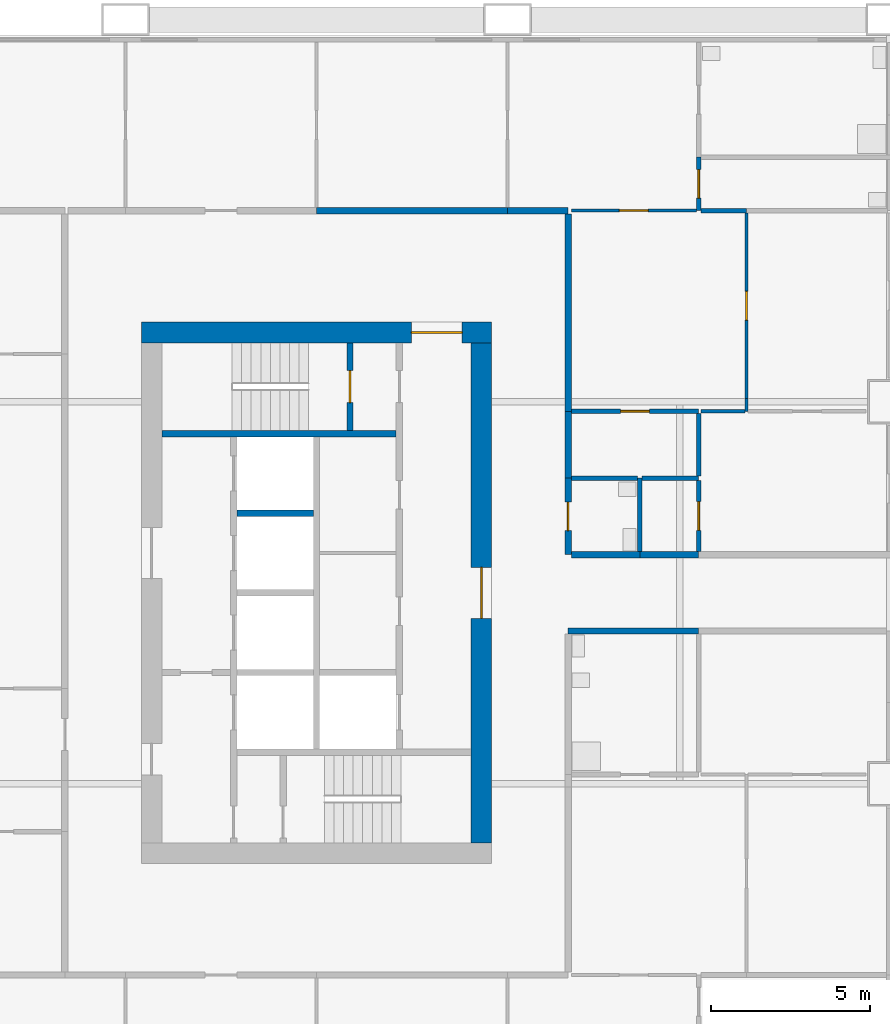
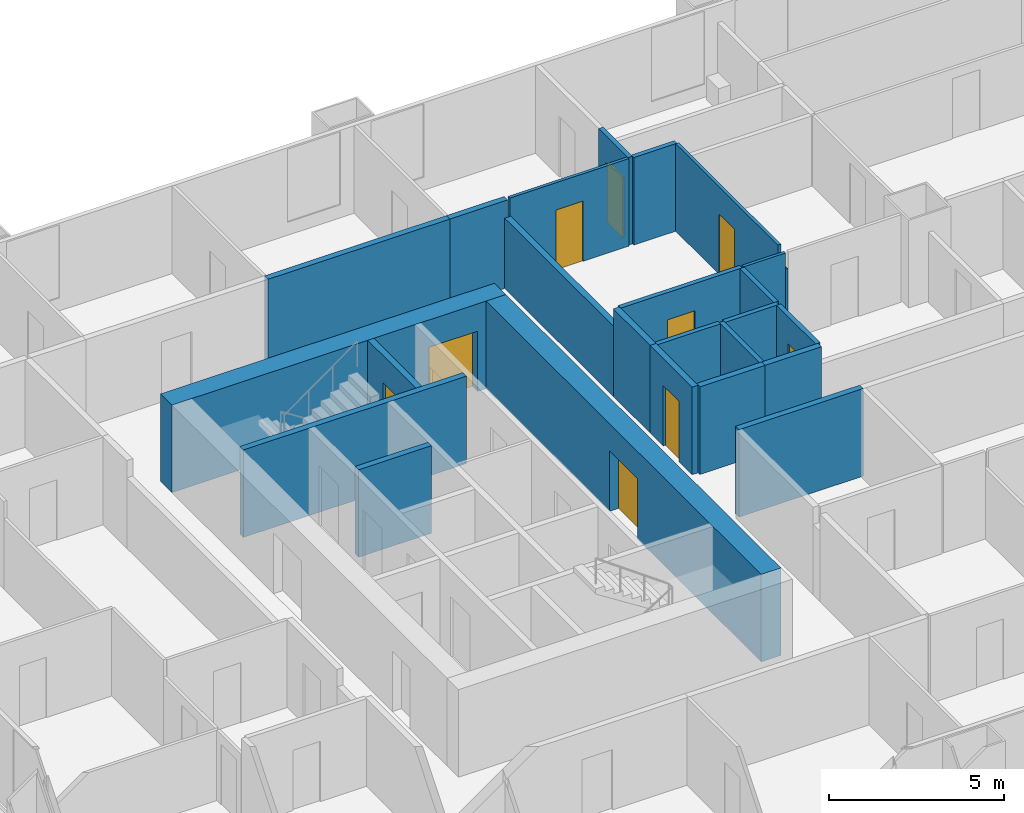
# One storey, part 4 of 11: 25 walls, 9 doors, 9 openings.
"""IFC4 building model written with IfcOpenShell, lengths in metres."""

from ifc_helpers import new_model, si_unit, direction, frame, frame_2d, origin, place, context, subcontext, project, spatial, rectangle, extrude, material, layer, layer_set, type_object, element, fill, save


model = new_model("IFC4")

# Units and contexts
model_context = context("Model", 3, precision=1e-05, world=origin(), true_north=direction((0.0, 1.0)))
body_context = subcontext(model_context, "Body", "Model", "MODEL_VIEW")
ifc_project = project(units=[si_unit("LENGTHUNIT", "METRE"), si_unit("AREAUNIT", "SQUARE_METRE"), si_unit("VOLUMEUNIT", "CUBIC_METRE"), si_unit("PLANEANGLEUNIT", "RADIAN"), si_unit("MASSUNIT", "GRAM", prefix="KILO")], contexts=[model_context])

# Site, building, storey
site_placement = place(None, origin())
site = spatial("IfcSite", under=ifc_project, at=site_placement, CompositionType="ELEMENT")
building_placement = place(site_placement, origin())
building = spatial("IfcBuilding", under=site, at=building_placement, Name="Kitamizu Gate Tower and Museum", CompositionType="ELEMENT")
storey_placement = place(building_placement, frame((0.0, 0.0, 100.050048828125)))
storey = spatial("IfcBuildingStorey", under=building, at=storey_placement, Name="L25", CompositionType="ELEMENT", Elevation=100.050048828125)

# Wall, opening, door
ifc_material_1 = material(Name="Concrete Fc60", Category="concrete")
ifc_layer_1 = layer(ifc_material_1, 0.64990234375)
ifc_layer_set_1 = layer_set([ifc_layer_1], Name="Concrete Fc60")
wall_type_1 = type_object("IfcWallType", Name="Core wall 650", PredefinedType="SHEAR", material=ifc_layer_set_1)
wall_1_placement = place(storey_placement, frame((12.5, 38.175048828125, 0.0), z_axis=(0.0, 0.0, 1.0), x_axis=(1.0, 0.0, 0.0)))
wall_1 = element("IfcWall", 1, at=wall_1_placement, inside=storey, type_object=wall_type_1, Name="Core wall WN", PredefinedType="SHEAR", context=body_context, shape_type="SweptSolid", body=[
    extrude(rectangle(XDim=11.0, YDim=0.64990234375, at=frame_2d((5.5, 0.0))), origin(), (0.0, 0.0, 1.0), 3.050048828125),
])
opening_1_placement = place(wall_1_placement, frame((8.47509765625, 0.0, 0.0)))
opening_1 = element("IfcOpeningElement", 2, at=opening_1_placement, cuts=wall_1, Name="Opening L25-063", PredefinedType="OPENING", context=body_context, shape_type="SweptSolid", body=[
    extrude(rectangle(XDim=1.60009765625, YDim=2.10009765625, at=frame_2d((0.800048828125, 1.050048828125))), frame((0.0, 0.3349609375, 0.0), z_axis=(0.0, -1.0, 0.0), x_axis=(1.0, 0.0, 0.0)), (0.0, 0.0, 1.0), 0.669921875),
])
ifc_material_2 = material(Name="Timber door set", Category="wood")
door_type_1 = type_object("IfcDoorType", Name="Entrance door 1600", OperationType="DOUBLE_DOOR_SINGLE_SWING", PredefinedType="DOOR", material=ifc_material_2)
door_1_placement = place(opening_1_placement, origin())
door_1 = element("IfcDoor", 3, at=door_1_placement, inside=storey, type_object=door_type_1, Name="Lobby door L25-063", OperationType="DOUBLE_DOOR_SINGLE_SWING", OverallHeight=2.10009765625, OverallWidth=1.60009765625, PredefinedType="DOOR", context=body_context, shape_type="SweptSolid", body=[
    extrude(rectangle(XDim=1.60009765625, YDim=2.10009765625, at=frame_2d((0.800048828125, 1.050048828125))), frame((0.0, 0.02490234375, 0.0), z_axis=(0.0, -1.0, 0.0), x_axis=(1.0, 0.0, 0.0)), (0.0, 0.0, 1.0), 0.050048828125),
])
fill(opening_1, door_1)

wall_2_placement = place(storey_placement, frame((23.175048828125, 22.14990234375, 0.0), z_axis=(0.0, 0.0, 1.0), x_axis=(0.0, 1.0, 0.0)))
wall_2 = element("IfcWall", 4, at=wall_2_placement, inside=storey, type_object=wall_type_1, Name="Core wall WARC", PredefinedType="SHEAR", context=body_context, shape_type="SweptSolid", body=[
    extrude(rectangle(XDim=15.7001953125, YDim=0.64990234375, at=frame_2d((7.85009765625, 0.0))), origin(), (0.0, 0.0, 1.0), 3.050048828125),
])
opening_2_placement = place(wall_2_placement, frame((7.050048828125, 0.0, 0.0)))
opening_2 = element("IfcOpeningElement", 5, at=opening_2_placement, cuts=wall_2, Name="Opening L25-064", PredefinedType="OPENING", context=body_context, shape_type="SweptSolid", body=[
    extrude(rectangle(XDim=1.60009765625, YDim=2.10009765625, at=frame_2d((0.800048828125, 1.050048828125))), frame((0.0, 0.3349609375, 0.0), z_axis=(0.0, -1.0, 0.0), x_axis=(1.0, 0.0, 0.0)), (0.0, 0.0, 1.0), 0.669921875),
])
door_2_placement = place(opening_2_placement, origin())
door_2 = element("IfcDoor", 6, at=door_2_placement, inside=storey, type_object=door_type_1, Name="Lobby door L25-064", OperationType="DOUBLE_DOOR_SINGLE_SWING", OverallHeight=2.10009765625, OverallWidth=1.60009765625, PredefinedType="DOOR", context=body_context, shape_type="SweptSolid", body=[
    extrude(rectangle(XDim=1.60009765625, YDim=2.10009765625, at=frame_2d((0.800048828125, 1.050048828125))), frame((0.0, 0.02490234375, 0.0), z_axis=(0.0, -1.0, 0.0), x_axis=(1.0, 0.0, 0.0)), (0.0, 0.0, 1.0), 0.050048828125),
])
fill(opening_2, door_2)

ifc_material_3 = material(Name="Gypsum board on galvanised stud")
ifc_layer_2 = layer(ifc_material_3, 0.10009765625)
ifc_layer_set_2 = layer_set([ifc_layer_2], Name="Gypsum board on galvanised stud")
wall_type_2 = type_object("IfcWallType", Name="Partition 100 NOT RATED", PredefinedType="PARTITIONING", material=ifc_layer_set_2)
wall_3_placement = place(storey_placement, frame((26.0, 42.0, 0.0), z_axis=(0.0, 0.0, 1.0), x_axis=(1.0, 0.0, 0.0)))
wall_3 = element("IfcWall", 7, at=wall_3_placement, inside=storey, type_object=wall_type_2, Name="Partition L25-101", PredefinedType="PARTITIONING", context=body_context, shape_type="SweptSolid", body=[
    extrude(rectangle(XDim=3.925048828125, YDim=0.10009765625, at=frame_2d((1.96240234375, 0.0))), origin(), (0.0, 0.0, 1.0), 3.050048828125),
])
opening_3_placement = place(wall_3_placement, frame((1.512451171875, 0.0, 0.0)))
opening_3 = element("IfcOpeningElement", 8, at=opening_3_placement, cuts=wall_3, Name="Opening L25-042", PredefinedType="OPENING", context=body_context, shape_type="SweptSolid", body=[
    extrude(rectangle(XDim=0.89990234375, YDim=2.10009765625, at=frame_2d((0.449951171875, 1.050048828125))), frame((0.0, 0.06005859375, 0.0), z_axis=(0.0, -1.0, 0.0), x_axis=(1.0, 0.0, 0.0)), (0.0, 0.0, 1.0), 0.1201171875),
])
ifc_material_4 = material(Name="Timber door set", Category="wood")
door_type_2 = type_object("IfcDoorType", Name="Room door 900", OperationType="NOTDEFINED", PredefinedType="DOOR", material=ifc_material_4)
door_3_placement = place(opening_3_placement, origin())
door_3 = element("IfcDoor", 9, at=door_3_placement, inside=storey, type_object=door_type_2, Name="Door L25-042", OperationType="SINGLE_SWING_RIGHT", OverallHeight=2.10009765625, OverallWidth=0.89990234375, PredefinedType="DOOR", context=body_context, shape_type="SweptSolid", body=[
    extrude(rectangle(XDim=0.89990234375, YDim=2.10009765625, at=frame_2d((0.449951171875, 1.050048828125))), frame((0.0, 0.02490234375, 0.0), z_axis=(0.0, -1.0, 0.0), x_axis=(1.0, 0.0, 0.0)), (0.0, 0.0, 1.0), 0.050048828125),
])
fill(opening_3, door_3)

# Wall
wall_4_placement = place(storey_placement, frame((31.5, 35.699951171875, 0.0), z_axis=(0.0, 0.0, 1.0), x_axis=(0.0, 1.0, 0.0)))
element("IfcWall", 10, at=wall_4_placement, inside=storey, type_object=wall_type_2, Name="Partition L25-117", PredefinedType="PARTITIONING", context=body_context, shape_type="SweptSolid", body=[
    extrude(rectangle(XDim=0.400146484375, YDim=0.10009765625, at=frame_2d((0.2001953125, 0.0))), origin(), (0.0, 0.0, 1.0), 2.449951171875),
])

# Wall, opening, door
wall_5_placement = place(storey_placement, frame((31.5, 36.10009765625, 0.0), z_axis=(0.0, 0.0, 1.0), x_axis=(0.0, 1.0, 0.0)))
wall_5 = element("IfcWall", 11, at=wall_5_placement, inside=storey, type_object=wall_type_2, Name="Partition L25-118", PredefinedType="PARTITIONING", context=body_context, shape_type="SweptSolid", body=[
    extrude(rectangle(XDim=5.824951171875, YDim=0.10009765625, at=frame_2d((2.91259765625, 0.0))), origin(), (0.0, 0.0, 1.0), 3.050048828125),
])
opening_4_placement = place(wall_5_placement, frame((2.46240234375, 0.0, 0.0)))
opening_4 = element("IfcOpeningElement", 12, at=opening_4_placement, cuts=wall_5, Name="Opening L25-043", PredefinedType="OPENING", context=body_context, shape_type="SweptSolid", body=[
    extrude(rectangle(XDim=0.89990234375, YDim=2.10009765625, at=frame_2d((0.449951171875, 1.050048828125))), frame((0.0, 0.06005859375, 0.0), z_axis=(0.0, -1.0, 0.0), x_axis=(1.0, 0.0, 0.0)), (0.0, 0.0, 1.0), 0.1201171875),
])
door_4_placement = place(opening_4_placement, frame((0.89990234375, 0.0, 0.0), x_axis=(-1.0, 0.0, 0.0)))
door_4 = element("IfcDoor", 13, at=door_4_placement, inside=storey, type_object=door_type_2, Name="Door L25-043", OperationType="SINGLE_SWING_RIGHT", OverallHeight=2.10009765625, OverallWidth=0.89990234375, PredefinedType="DOOR", context=body_context, shape_type="SweptSolid", body=[
    extrude(rectangle(XDim=0.89990234375, YDim=2.10009765625, at=frame_2d((0.449951171875, 1.050048828125))), frame((0.0, 0.02490234375, 0.0), z_axis=(0.0, -1.0, 0.0), x_axis=(1.0, 0.0, 0.0)), (0.0, 0.0, 1.0), 0.050048828125),
])
fill(opening_4, door_4)

# Wall
wall_6_placement = place(storey_placement, frame((30.074951171875, 35.699951171875, 0.0), z_axis=(0.0, 0.0, 1.0), x_axis=(1.0, 0.0, 0.0)))
element("IfcWall", 14, at=wall_6_placement, inside=storey, type_object=wall_type_2, Name="Partition L25-120", PredefinedType="PARTITIONING", context=body_context, shape_type="SweptSolid", body=[
    extrude(rectangle(XDim=1.375, YDim=0.10009765625, at=frame_2d((0.6875, 0.0))), origin(), (0.0, 0.0, 1.0), 3.050048828125),
])

# Wall, opening, door
ifc_material_5 = material(Name="Gypsum board on galvanised stud")
ifc_layer_3 = layer(ifc_material_5, 0.14990234375)
ifc_layer_set_3 = layer_set([ifc_layer_3], Name="Gypsum board on galvanised stud")
wall_type_3 = type_object("IfcWallType", Name="Partition 150", PredefinedType="PARTITIONING", material=ifc_layer_set_3)
wall_7_placement = place(storey_placement, frame((30.0, 42.0, 0.0), z_axis=(0.0, 0.0, 1.0), x_axis=(0.0, 1.0, 0.0)))
wall_7 = element("IfcWall", 15, at=wall_7_placement, inside=storey, type_object=wall_type_3, Name="Partition L25-100", PredefinedType="PARTITIONING", context=body_context, shape_type="SweptSolid", body=[
    extrude(rectangle(XDim=1.679931640625, YDim=0.14990234375, at=frame_2d((0.83984375, 0.0))), origin(), (0.0, 0.0, 1.0), 3.050048828125),
])
opening_5_placement = place(wall_7_placement, frame((0.389892578125, 0.0, 0.0)))
opening_5 = element("IfcOpeningElement", 16, at=opening_5_placement, cuts=wall_7, Name="Opening L25-041", PredefinedType="OPENING", context=body_context, shape_type="SweptSolid", body=[
    extrude(rectangle(XDim=0.89990234375, YDim=2.10009765625, at=frame_2d((0.449951171875, 1.050048828125))), frame((0.0, 0.0849609375, 0.0), z_axis=(0.0, -1.0, 0.0), x_axis=(1.0, 0.0, 0.0)), (0.0, 0.0, 1.0), 0.169921875),
])
ifc_material_6 = material(Name="Timber door set", Category="wood")
door_type_3 = type_object("IfcDoorType", Name="Bathroom door 900", OperationType="NOTDEFINED", PredefinedType="DOOR", material=ifc_material_6)
door_5_placement = place(opening_5_placement, frame((0.89990234375, 0.0, 0.0), x_axis=(-1.0, 0.0, 0.0)))
door_5 = element("IfcDoor", 17, at=door_5_placement, inside=storey, type_object=door_type_3, Name="Bathroom door L25-041", OperationType="SINGLE_SWING_RIGHT", OverallHeight=2.10009765625, OverallWidth=0.89990234375, PredefinedType="DOOR", context=body_context, shape_type="SweptSolid", body=[
    extrude(rectangle(XDim=0.89990234375, YDim=2.10009765625, at=frame_2d((0.449951171875, 1.050048828125))), frame((0.0, 0.02490234375, 0.0), z_axis=(0.0, -1.0, 0.0), x_axis=(1.0, 0.0, 0.0)), (0.0, 0.0, 1.0), 0.050048828125),
])
fill(opening_5, door_5)

# Wall
wall_8_placement = place(storey_placement, frame((30.074951171875, 42.0, 0.0), z_axis=(0.0, 0.0, 1.0), x_axis=(1.0, 0.0, 0.0)))
element("IfcWall", 18, at=wall_8_placement, inside=storey, type_object=wall_type_3, Name="Partition L25-107", PredefinedType="PARTITIONING", context=body_context, shape_type="SweptSolid", body=[
    extrude(rectangle(XDim=1.425048828125, YDim=0.14990234375, at=frame_2d((0.71240234375, 0.0))), origin(), (0.0, 0.0, 1.0), 3.050048828125),
])

# Wall, opening, door
wall_9_placement = place(storey_placement, frame((26.0, 35.699951171875, 0.0), z_axis=(0.0, 0.0, 1.0), x_axis=(1.0, 0.0, 0.0)))
wall_9 = element("IfcWall", 19, at=wall_9_placement, inside=storey, type_object=wall_type_3, Name="Partition L25-119", PredefinedType="PARTITIONING", context=body_context, shape_type="SweptSolid", body=[
    extrude(rectangle(XDim=4.0, YDim=0.14990234375, at=frame_2d((2.0, 0.0))), origin(), (0.0, 0.0, 1.0), 3.050048828125),
])
opening_6_placement = place(wall_9_placement, frame((1.550048828125, 0.0, 0.0)))
opening_6 = element("IfcOpeningElement", 20, at=opening_6_placement, cuts=wall_9, Name="Opening L25-044", PredefinedType="OPENING", context=body_context, shape_type="SweptSolid", body=[
    extrude(rectangle(XDim=0.89990234375, YDim=2.10009765625, at=frame_2d((0.449951171875, 1.050048828125))), frame((0.0, 0.0849609375, 0.0), z_axis=(0.0, -1.0, 0.0), x_axis=(1.0, 0.0, 0.0)), (0.0, 0.0, 1.0), 0.169921875),
])
door_6_placement = place(opening_6_placement, frame((0.89990234375, 0.0, 0.0), x_axis=(-1.0, 0.0, 0.0)))
door_6 = element("IfcDoor", 21, at=door_6_placement, inside=storey, type_object=door_type_3, Name="Bathroom door L25-044", OperationType="SINGLE_SWING_LEFT", OverallHeight=2.10009765625, OverallWidth=0.89990234375, PredefinedType="DOOR", context=body_context, shape_type="SweptSolid", body=[
    extrude(rectangle(XDim=0.89990234375, YDim=2.10009765625, at=frame_2d((0.449951171875, 1.050048828125))), frame((0.0, 0.02490234375, 0.0), z_axis=(0.0, -1.0, 0.0), x_axis=(1.0, 0.0, 0.0)), (0.0, 0.0, 1.0), 0.050048828125),
])
fill(opening_6, door_6)

# Walls
wall_10_placement = place(storey_placement, frame((28.14990234375, 31.300048828125, 0.0), z_axis=(0.0, 0.0, 1.0), x_axis=(0.0, 1.0, 0.0)))
element("IfcWall", 22, at=wall_10_placement, inside=storey, type_object=wall_type_3, Name="Partition L25-124", PredefinedType="PARTITIONING", context=body_context, shape_type="SweptSolid", body=[
    extrude(rectangle(XDim=2.300048828125, YDim=0.14990234375, at=frame_2d((1.14990234375, 0.0))), origin(), (0.0, 0.0, 1.0), 3.050048828125),
])
wall_11_placement = place(storey_placement, frame((28.074951171875, 33.60009765625, 0.0), z_axis=(0.0, 0.0, 1.0), x_axis=(-1.0, 0.0, 0.0)))
element("IfcWall", 23, at=wall_11_placement, inside=storey, type_object=wall_type_3, Name="Partition L25-125", PredefinedType="PARTITIONING", context=body_context, shape_type="SweptSolid", body=[
    extrude(rectangle(XDim=2.074951171875, YDim=0.14990234375, at=frame_2d((1.03759765625, 0.0))), origin(), (0.0, 0.0, 1.0), 3.050048828125),
])
wall_12_placement = place(storey_placement, frame((30.0, 33.60009765625, 0.0), z_axis=(0.0, 0.0, 1.0), x_axis=(-1.0, 0.0, 0.0)))
element("IfcWall", 24, at=wall_12_placement, inside=storey, type_object=wall_type_3, Name="Partition L25-128", PredefinedType="PARTITIONING", context=body_context, shape_type="SweptSolid", body=[
    extrude(rectangle(XDim=1.77490234375, YDim=0.14990234375, at=frame_2d((0.887451171875, 0.0))), origin(), (0.0, 0.0, 1.0), 3.050048828125),
])

# Wall, opening, door
wall_13_placement = place(storey_placement, frame((30.0, 31.300048828125, 0.0), z_axis=(0.0, 0.0, 1.0), x_axis=(0.0, 1.0, 0.0)))
wall_13 = element("IfcWall", 25, at=wall_13_placement, inside=storey, type_object=wall_type_3, Name="Partition L25-129", PredefinedType="PARTITIONING", context=body_context, shape_type="SweptSolid", body=[
    extrude(rectangle(XDim=2.224853515625, YDim=0.14990234375, at=frame_2d((1.1123046875, 0.0))), origin(), (0.0, 0.0, 1.0), 3.050048828125),
])
opening_7_placement = place(wall_13_placement, frame((0.66259765625, 0.0, 0.0)))
opening_7 = element("IfcOpeningElement", 26, at=opening_7_placement, cuts=wall_13, Name="Opening L25-054", PredefinedType="OPENING", context=body_context, shape_type="SweptSolid", body=[
    extrude(rectangle(XDim=0.89990234375, YDim=2.10009765625, at=frame_2d((0.449951171875, 1.050048828125))), frame((0.0, 0.0849609375, 0.0), z_axis=(0.0, -1.0, 0.0), x_axis=(1.0, 0.0, 0.0)), (0.0, 0.0, 1.0), 0.169921875),
])
door_7_placement = place(opening_7_placement, origin())
door_7 = element("IfcDoor", 27, at=door_7_placement, inside=storey, type_object=door_type_3, Name="Bathroom door L25-054", OperationType="SINGLE_SWING_RIGHT", OverallHeight=2.10009765625, OverallWidth=0.89990234375, PredefinedType="DOOR", context=body_context, shape_type="SweptSolid", body=[
    extrude(rectangle(XDim=0.89990234375, YDim=2.10009765625, at=frame_2d((0.449951171875, 1.050048828125))), frame((0.0, 0.02490234375, 0.0), z_axis=(0.0, -1.0, 0.0), x_axis=(1.0, 0.0, 0.0)), (0.0, 0.0, 1.0), 0.050048828125),
])
fill(opening_7, door_7)

# Walls
wall_14_placement = place(storey_placement, frame((30.0, 33.675048828125, 0.0), z_axis=(0.0, 0.0, 1.0), x_axis=(0.0, 1.0, 0.0)))
element("IfcWall", 28, at=wall_14_placement, inside=storey, type_object=wall_type_3, Name="Partition L25-131", PredefinedType="PARTITIONING", context=body_context, shape_type="SweptSolid", body=[
    extrude(rectangle(XDim=1.949951171875, YDim=0.14990234375, at=frame_2d((0.97509765625, 0.0))), origin(), (0.0, 0.0, 1.0), 3.050048828125),
])
ifc_material_7 = material(Name="Gypsum board on galvanised stud")
ifc_layer_4 = layer(ifc_material_7, 0.199951171875)
ifc_layer_set_4 = layer_set([ifc_layer_4], Name="Gypsum board on galvanised stud")
wall_type_4 = type_object("IfcWallType", Name="Partition 200", PredefinedType="PARTITIONING", material=ifc_layer_set_4)
wall_15_placement = place(storey_placement, frame((30.0, 28.800048828125, 0.0), z_axis=(0.0, 0.0, 1.0), x_axis=(-1.0, 0.0, 0.0)))
element("IfcWall", 29, at=wall_15_placement, inside=storey, type_object=wall_type_4, Name="Partition L25-025", PredefinedType="PARTITIONING", context=body_context, shape_type="SweptSolid", body=[
    extrude(rectangle(XDim=4.10009765625, YDim=0.199951171875, at=frame_2d((2.050048828125, 0.0))), origin(), (0.0, 0.0, 1.0), 3.050048828125),
])
wall_16_placement = place(storey_placement, frame((18.0, 42.0, 0.0), z_axis=(0.0, 0.0, 1.0), x_axis=(1.0, 0.0, 0.0)))
element("IfcWall", 30, at=wall_16_placement, inside=storey, type_object=wall_type_4, Name="Partition L25-098", PredefinedType="PARTITIONING", context=body_context, shape_type="SweptSolid", body=[
    extrude(rectangle(XDim=6.0, YDim=0.199951171875, at=frame_2d((3.0, 0.0))), origin(), (0.0, 0.0, 1.0), 3.050048828125),
])
wall_17_placement = place(storey_placement, frame((24.0, 42.0, 0.0), z_axis=(0.0, 0.0, 1.0), x_axis=(1.0, 0.0, 0.0)))
element("IfcWall", 31, at=wall_17_placement, inside=storey, type_object=wall_type_4, Name="Partition L25-102", PredefinedType="PARTITIONING", context=body_context, shape_type="SweptSolid", body=[
    extrude(rectangle(XDim=1.89990234375, YDim=0.199951171875, at=frame_2d((0.949951171875, 0.0))), origin(), (0.0, 0.0, 1.0), 3.050048828125),
])
wall_18_placement = place(storey_placement, frame((25.89990234375, 41.89990234375, 0.0), z_axis=(0.0, 0.0, 1.0), x_axis=(0.0, -1.0, 0.0)))
element("IfcWall", 32, at=wall_18_placement, inside=storey, type_object=wall_type_4, Name="Partition L25-121", PredefinedType="PARTITIONING", context=body_context, shape_type="SweptSolid", body=[
    extrude(rectangle(XDim=6.199951171875, YDim=0.199951171875, at=frame_2d((3.10009765625, 0.0))), origin(), (0.0, 0.0, 1.0), 2.449951171875),
])

# Wall, opening, door
wall_19_placement = place(storey_placement, frame((25.89990234375, 33.60009765625, 0.0), z_axis=(0.0, 0.0, 1.0), x_axis=(0.0, -1.0, 0.0)))
wall_19 = element("IfcWall", 33, at=wall_19_placement, inside=storey, type_object=wall_type_4, Name="Partition L25-126", PredefinedType="PARTITIONING", context=body_context, shape_type="SweptSolid", body=[
    extrude(rectangle(XDim=2.400146484375, YDim=0.199951171875, at=frame_2d((1.2001953125, 0.0))), origin(), (0.0, 0.0, 1.0), 3.050048828125),
])
opening_8_placement = place(wall_19_placement, frame((0.75, 0.0, 0.0)))
opening_8 = element("IfcOpeningElement", 34, at=opening_8_placement, cuts=wall_19, Name="Opening L25-055", PredefinedType="OPENING", context=body_context, shape_type="SweptSolid", body=[
    extrude(rectangle(XDim=0.89990234375, YDim=2.10009765625, at=frame_2d((0.449951171875, 1.050048828125))), frame((0.0, 0.10986328125, 0.0), z_axis=(0.0, -1.0, 0.0), x_axis=(1.0, 0.0, 0.0)), (0.0, 0.0, 1.0), 0.219970703125),
])
ifc_material_8 = material(Name="Timber door set", Category="wood")
door_type_4 = type_object("IfcDoorType", Name="Store door 900", OperationType="NOTDEFINED", PredefinedType="DOOR", material=ifc_material_8)
door_8_placement = place(opening_8_placement, origin())
door_8 = element("IfcDoor", 35, at=door_8_placement, inside=storey, type_object=door_type_4, Name="Service entrance door L25-055", OperationType="SINGLE_SWING_LEFT", OverallHeight=2.10009765625, OverallWidth=0.89990234375, PredefinedType="DOOR", context=body_context, shape_type="SweptSolid", body=[
    extrude(rectangle(XDim=0.89990234375, YDim=2.10009765625, at=frame_2d((0.449951171875, 1.050048828125))), frame((0.0, 0.02490234375, 0.0), z_axis=(0.0, -1.0, 0.0), x_axis=(1.0, 0.0, 0.0)), (0.0, 0.0, 1.0), 0.050048828125),
])
fill(opening_8, door_8)

# Walls
wall_20_placement = place(storey_placement, frame((26.0, 31.199951171875, 0.0), z_axis=(0.0, 0.0, 1.0), x_axis=(1.0, 0.0, 0.0)))
element("IfcWall", 36, at=wall_20_placement, inside=storey, type_object=wall_type_4, Name="Partition L25-127", PredefinedType="PARTITIONING", context=body_context, shape_type="SweptSolid", body=[
    extrude(rectangle(XDim=2.14990234375, YDim=0.199951171875, at=frame_2d((1.074951171875, 0.0))), origin(), (0.0, 0.0, 1.0), 3.050048828125),
])
wall_21_placement = place(storey_placement, frame((28.14990234375, 31.199951171875, 0.0), z_axis=(0.0, 0.0, 1.0), x_axis=(1.0, 0.0, 0.0)))
element("IfcWall", 37, at=wall_21_placement, inside=storey, type_object=wall_type_4, Name="Partition L25-130", PredefinedType="PARTITIONING", context=body_context, shape_type="SweptSolid", body=[
    extrude(rectangle(XDim=1.85009765625, YDim=0.199951171875, at=frame_2d((0.925048828125, 0.0))), origin(), (0.0, 0.0, 1.0), 3.050048828125),
])
wall_22_placement = place(storey_placement, frame((25.89990234375, 35.699951171875, 0.0), z_axis=(0.0, 0.0, 1.0), x_axis=(0.0, -1.0, 0.0)))
element("IfcWall", 38, at=wall_22_placement, inside=storey, type_object=wall_type_4, Name="Partition L25-132", PredefinedType="PARTITIONING", context=body_context, shape_type="SweptSolid", body=[
    extrude(rectangle(XDim=2.099853515625, YDim=0.199951171875, at=frame_2d((1.0498046875, 0.0))), origin(), (0.0, 0.0, 1.0), 3.050048828125),
])
ifc_material_9 = material(Name="Concrete Fc42", Category="concrete")
ifc_layer_5 = layer(ifc_material_9, 0.199951171875)
ifc_layer_set_5 = layer_set([ifc_layer_5], Name="Concrete Fc42")
wall_type_5 = type_object("IfcWallType", Name="Shaft wall 200", PredefinedType="SOLIDWALL", material=ifc_layer_set_5)
wall_23_placement = place(storey_placement, frame((13.14990234375, 35.0, 0.0), z_axis=(0.0, 0.0, 1.0), x_axis=(1.0, 0.0, 0.0)))
element("IfcWall", 39, at=wall_23_placement, inside=storey, type_object=wall_type_5, Name="Shaft wall WNB", PredefinedType="SOLIDWALL", context=body_context, shape_type="SweptSolid", body=[
    extrude(rectangle(XDim=7.35009765625, YDim=0.199951171875, at=frame_2d((3.675048828125, 0.0))), origin(), (0.0, 0.0, 1.0), 3.050048828125),
])

# Wall, opening, door
wall_24_placement = place(storey_placement, frame((19.050048828125, 35.10009765625, 0.0), z_axis=(0.0, 0.0, 1.0), x_axis=(0.0, 1.0, 0.0)))
wall_24 = element("IfcWall", 40, at=wall_24_placement, inside=storey, type_object=wall_type_5, Name="Shaft wall WNZ", PredefinedType="SOLIDWALL", context=body_context, shape_type="SweptSolid", body=[
    extrude(rectangle(XDim=2.75, YDim=0.199951171875, at=frame_2d((1.375, 0.0))), origin(), (0.0, 0.0, 1.0), 3.050048828125),
])
opening_9_placement = place(wall_24_placement, frame((0.875, 0.0, 0.0)))
opening_9 = element("IfcOpeningElement", 41, at=opening_9_placement, cuts=wall_24, Name="Opening L25-059", PredefinedType="OPENING", context=body_context, shape_type="SweptSolid", body=[
    extrude(rectangle(XDim=1.0, YDim=2.10009765625, at=frame_2d((0.5, 1.050048828125))), frame((0.0, 0.10986328125, 0.0), z_axis=(0.0, -1.0, 0.0), x_axis=(1.0, 0.0, 0.0)), (0.0, 0.0, 1.0), 0.219970703125),
])
ifc_material_10 = material(Name="Hollow metal door set")
door_type_5 = type_object("IfcDoorType", Name="Fire door 1000", OperationType="NOTDEFINED", PredefinedType="DOOR", material=ifc_material_10)
door_9_placement = place(opening_9_placement, origin())
door_9 = element("IfcDoor", 42, at=door_9_placement, inside=storey, type_object=door_type_5, Name="Stair door L25-059", OperationType="SINGLE_SWING_LEFT", OverallHeight=2.10009765625, OverallWidth=1.0, PredefinedType="DOOR", context=body_context, shape_type="SweptSolid", body=[
    extrude(rectangle(XDim=1.0, YDim=2.10009765625, at=frame_2d((0.5, 1.050048828125))), frame((0.0, 0.02490234375, 0.0), z_axis=(0.0, -1.0, 0.0), x_axis=(1.0, 0.0, 0.0)), (0.0, 0.0, 1.0), 0.050048828125),
])
fill(opening_9, door_9)

# Wall
wall_25_placement = place(storey_placement, frame((15.5, 32.5, 0.0), z_axis=(0.0, 0.0, 1.0), x_axis=(1.0, 0.0, 0.0)))
element("IfcWall", 43, at=wall_25_placement, inside=storey, type_object=wall_type_5, Name="Shaft wall WDVW2", PredefinedType="SOLIDWALL", context=body_context, shape_type="SweptSolid", body=[
    extrude(rectangle(XDim=2.39990234375, YDim=0.199951171875, at=frame_2d((1.199951171875, 0.0))), origin(), (0.0, 0.0, 1.0), 3.050048828125),
])

save(model, "model.ifc")
